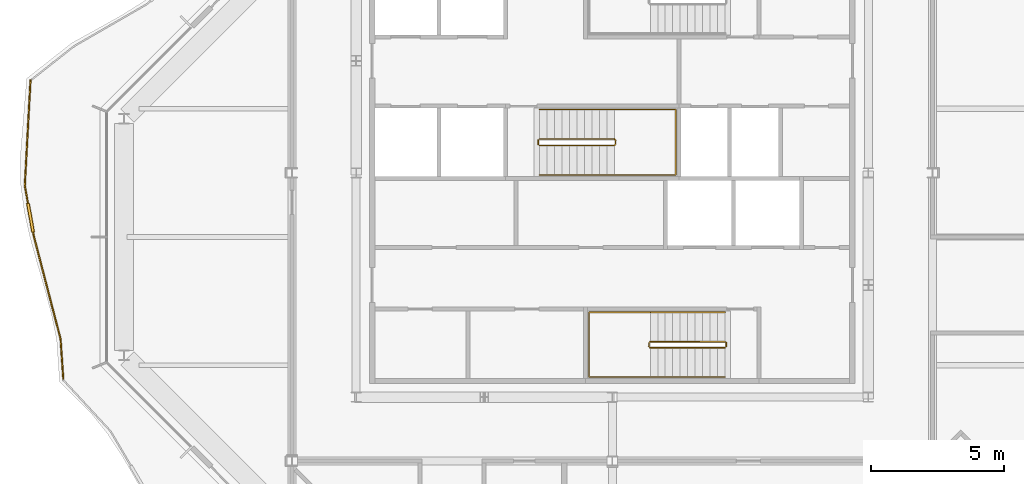
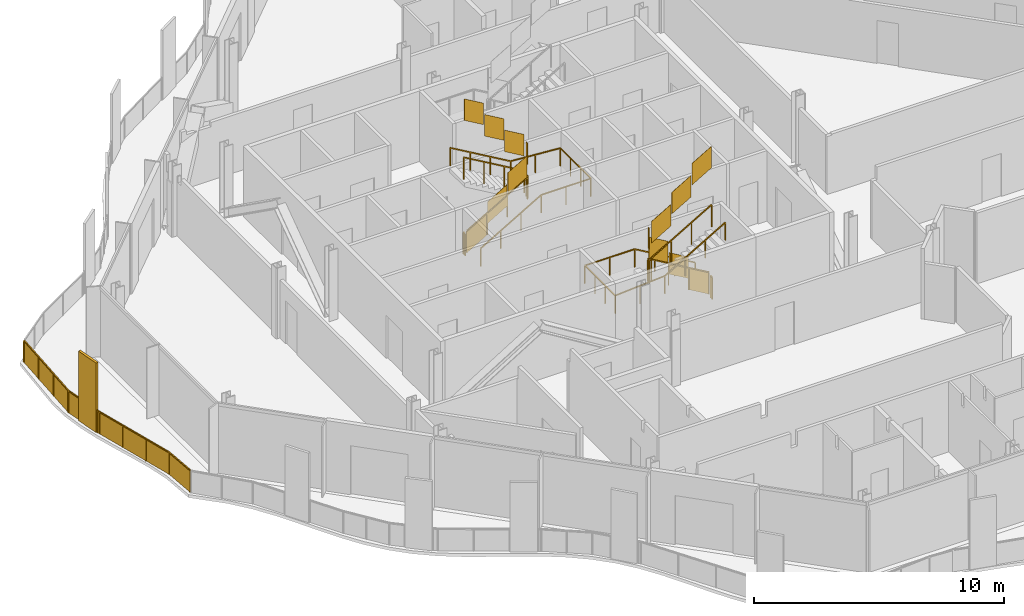
# One storey, part 14 of 17: 7 railings.
"""IFC4 building model written with IfcOpenShell, lengths in metres."""

import ifcopenshell
import ifcopenshell.guid

model = None  # the IFC model being written
_history = None  # IfcOwnerHistory: only IFC2X3 demands one
_inside = {}  # id of a spatial element -> (the spatial element, [elements in it])
_under = {}  # id of a project, library or spatial element -> (it, [spatial elements below it])
_declared = {}  # id of a project -> (the project, [libraries it declares])
_typed = {}  # id of a type object -> (the type object, [elements of that type])
_made_of = {}  # id of a material, layer set ... -> (it, [elements and type objects made of it])


def new_model(schema):
    """Start an empty IFC model of exactly this schema.

    Asked for "IFC4X3", IfcOpenShell would pick the latest addendum, in which some entities
    have other attributes; the version numbers below select the first issue.
    IFC2X3 requires an IfcOwnerHistory on every rooted entity: one is made here for all.
    """
    global model, _history
    if schema == "IFC4X3":
        model = ifcopenshell.file(schema_version=(4, 3, 0, 0))
    else:
        model = ifcopenshell.file(schema=schema)
    _inside.clear()
    _under.clear()
    _declared.clear()
    _typed.clear()
    _made_of.clear()
    _history = None
    if model.schema == "IFC2X3":
        org = make("IfcOrganization", Name="unknown")
        user = make(
            "IfcPersonAndOrganization",
            ThePerson=make("IfcPerson", FamilyName="unknown"),
            TheOrganization=org,
        )
        app = make(
            "IfcApplication",
            ApplicationDeveloper=org,
            Version="unknown",
            ApplicationFullName="unknown",
            ApplicationIdentifier="unknown",
        )
        _history = make(
            "IfcOwnerHistory",
            OwningUser=user,
            OwningApplication=app,
            ChangeAction="ADDED",
            CreationDate=0,
        )
    return model


def make(cls, **values):
    """One entity of the class cls with the attributes given. An attribute that is None is left unset."""
    return model.create_entity(
        cls, **{name: value for name, value in values.items() if value is not None}
    )


def rooted(cls, **values):
    """An entity with a GlobalId (a new one), such as an element, a storey or a relation."""
    return make(cls, GlobalId=ifcopenshell.guid.new(), OwnerHistory=_history, **values)


def si_unit(unit_type, name, prefix=None):
    """IfcSIUnit, for example si_unit("LENGTHUNIT", "METRE", prefix="MILLI")."""
    return make("IfcSIUnit", UnitType=unit_type, Prefix=prefix, Name=name)


def assignment(units):
    """IfcUnitAssignment: the units of a project."""
    return None if units is None else make("IfcUnitAssignment", Units=units)


def point(xyz):
    """IfcCartesianPoint."""
    return None if xyz is None else make("IfcCartesianPoint", Coordinates=xyz)


def direction(xyz):
    """IfcDirection."""
    return None if xyz is None else make("IfcDirection", DirectionRatios=xyz)


def frame(location, z_axis=None, x_axis=None):
    """IfcAxis2Placement3D, a coordinate frame: its origin and axes. An axis left out is left unset."""
    return make(
        "IfcAxis2Placement3D",
        Location=point(location),
        Axis=direction(z_axis),
        RefDirection=direction(x_axis),
    )


def frame_2d(location, x_axis=None):
    """IfcAxis2Placement2D, a coordinate frame in the plane: its origin and x axis."""
    return make(
        "IfcAxis2Placement2D", Location=point(location), RefDirection=direction(x_axis)
    )


def origin():
    """The frame at (0, 0, 0) with its axes left unset."""
    return frame((0.0, 0.0, 0.0))


def origin_2d():
    """The frame at (0, 0) in the plane with its x axis left unset."""
    return frame_2d((0.0, 0.0))


def place(relative_to, where):
    """IfcLocalPlacement: puts the frame where relative to a parent placement (None: the world)."""
    return make(
        "IfcLocalPlacement", PlacementRelTo=relative_to, RelativePlacement=where
    )


def context(
    kind, dimensions, precision=None, world=None, true_north=None, identifier=None
):
    """IfcGeometricRepresentationContext, for example the 3D "Model" context."""
    return make(
        "IfcGeometricRepresentationContext",
        ContextIdentifier=identifier,
        ContextType=kind,
        CoordinateSpaceDimension=dimensions,
        Precision=precision,
        WorldCoordinateSystem=world,
        TrueNorth=true_north,
    )


def subcontext(parent, identifier, kind, view, scale=None):
    """IfcGeometricRepresentationSubContext, for example "Body" below "Model"."""
    return make(
        "IfcGeometricRepresentationSubContext",
        ContextIdentifier=identifier,
        ContextType=kind,
        ParentContext=parent,
        TargetScale=scale,
        TargetView=view,
    )


def project(units=None, contexts=None):
    """IfcProject with its units and contexts."""
    return rooted(
        "IfcProject",
        Name="project",
        RepresentationContexts=contexts,
        UnitsInContext=assignment(units),
    )


def spatial(cls, under=None, at=None, **own):
    """A site, building, storey or space (cls), placed at a placement, below another one or the project."""
    s = rooted(cls, ObjectPlacement=at, **own)
    if under is not None:
        _under.setdefault(under.id(), (under, []))[1].append(s)
    return s


def polyline(points):
    """IfcPolyline through the points."""
    return make("IfcPolyline", Points=[point(p) for p in points])


def profile(cls, at=None, kind="AREA", **sizes):
    """A parametric profile (cls). Its sizes go by their IFC names, for example OverallWidth=200.0."""
    return make(cls, ProfileType=kind, Position=at, **sizes)


def rectangle(**sizes):
    """IfcRectangleProfileDef."""
    return profile("IfcRectangleProfileDef", **sizes)


def outline(outer, holes=None, kind="AREA"):
    """IfcArbitraryClosedProfileDef: a profile drawn as a closed curve; with holes, ...WithVoids."""
    if holes is None:
        return make("IfcArbitraryClosedProfileDef", ProfileType=kind, OuterCurve=outer)
    return make(
        "IfcArbitraryProfileDefWithVoids",
        ProfileType=kind,
        OuterCurve=outer,
        InnerCurves=holes,
    )


def extrude(swept, where, along, depth):
    """IfcExtrudedAreaSolid: the profile swept, set in the frame where, extruded along a direction by depth."""
    return make(
        "IfcExtrudedAreaSolid",
        SweptArea=swept,
        Position=where,
        ExtrudedDirection=direction(along),
        Depth=depth,
    )


def shape(context_of_items, identifier, shape_type, items):
    """IfcShapeRepresentation: the items that make up one representation, for example the "Body"."""
    return make(
        "IfcShapeRepresentation",
        ContextOfItems=context_of_items,
        RepresentationIdentifier=identifier,
        RepresentationType=shape_type,
        Items=items,
    )


def material(Name=None, Category=None):
    """IfcMaterial."""
    return make("IfcMaterial", Name=Name, Category=Category)


def made_of(thing, what):
    """Note that an element or type object is made of a material, layer set ...; save() writes the relation."""
    if what is not None:
        _made_of.setdefault(what.id(), (what, []))[1].append(thing)
    return thing


def type_object(cls, material=None, **own):
    """A type object (cls), such as IfcWallType, which elements share."""
    return made_of(rooted(cls, **own), material)


def element(
    cls,
    number,
    at=None,
    inside=None,
    cuts=None,
    type_object=None,
    material=None,
    context=None,
    identifier="Body",
    shape_type=None,
    held_by="IfcProductDefinitionShape",
    body=None,
    shapes=None,
    **own,
):
    """One element of the class cls, such as IfcWall. Its Tag is "e" and its number.

    at: its placement. inside: the storey or other place that contains it. cuts: it is an
    opening in that element (IfcRelVoidsElement). A single representation is given by context,
    identifier, shape_type and body (its items); several are given by shapes. held_by: the class
    of the entity that holds the representations. save() writes the other relations.
    """
    e = rooted(cls, Tag="e%d" % number, ObjectPlacement=at, **own)
    if body is not None:
        shapes = [shape(context, identifier, shape_type, body)]
    if shapes is not None:
        e.Representation = make(held_by, Representations=shapes)
    if inside is not None:
        _inside.setdefault(inside.id(), (inside, []))[1].append(e)
    if cuts is not None:
        rooted(
            "IfcRelVoidsElement", RelatingBuildingElement=cuts, RelatedOpeningElement=e
        )
    if type_object is not None:
        _typed.setdefault(type_object.id(), (type_object, []))[1].append(e)
    return made_of(e, material)


def aggregate(whole, parts):
    """IfcRelAggregates: a whole, such as a stair, and the parts it consists of."""
    return rooted("IfcRelAggregates", RelatingObject=whole, RelatedObjects=parts)


def save(model, path):
    """Write the relations noted so far, then the file.

    IfcRelAggregates (storeys below a building ...), IfcRelContainedInSpatialStructure (elements
    in a storey), IfcRelDefinesByType, IfcRelAssociatesMaterial and IfcRelDeclares: one each for
    every whole, place, type object, material and project.
    """
    for whole, parts in _under.values():
        aggregate(whole, parts)
    for where, things in _inside.values():
        rooted(
            "IfcRelContainedInSpatialStructure",
            RelatedElements=things,
            RelatingStructure=where,
        )
    for kind, things in _typed.values():
        rooted("IfcRelDefinesByType", RelatedObjects=things, RelatingType=kind)
    for what, things in _made_of.values():
        rooted("IfcRelAssociatesMaterial", RelatedObjects=things, RelatingMaterial=what)
    for by, libraries in _declared.values():
        rooted("IfcRelDeclares", RelatingContext=by, RelatedDefinitions=libraries)
    model.write(path)


model = new_model("IFC4")

# Units and contexts
model_context = context("Model", 3, precision=1e-05, world=origin(), true_north=direction((0.0, 1.0)))
body_context = subcontext(model_context, "Body", "Model", "MODEL_VIEW")
ifc_project = project(units=[si_unit("LENGTHUNIT", "METRE"), si_unit("AREAUNIT", "SQUARE_METRE"), si_unit("VOLUMEUNIT", "CUBIC_METRE"), si_unit("PLANEANGLEUNIT", "RADIAN"), si_unit("MASSUNIT", "GRAM", prefix="KILO")], contexts=[model_context])

# Site, building, storey
site_placement = place(None, origin())
site = spatial("IfcSite", under=ifc_project, at=site_placement, CompositionType="ELEMENT")
building_placement = place(site_placement, origin())
building = spatial("IfcBuilding", under=site, at=building_placement, Name="Cairn Pilgrim Tower", CompositionType="ELEMENT")
storey_placement = place(building_placement, frame((0.0, 0.0, 270.60009765625)))
storey = spatial("IfcBuildingStorey", under=building, at=storey_placement, Name="L69", CompositionType="ELEMENT", Elevation=270.60009765625)

# Railings
ifc_material_1 = material(Name="Bronze anodised aluminium rail, posts and fin screens with laminated glass infill", Category="aluminium")
railing_type_1 = type_object("IfcRailingType", Name="BALCONY GUARD WITH FIN SCREENS", PredefinedType="GUARDRAIL", material=ifc_material_1)
railing_1_placement = place(storey_placement, frame((-14.60400390625, 5.86328125, 0.0)))
element("IfcRailing", 1, at=railing_1_placement, inside=storey, type_object=railing_type_1, Name="Balcony guard BGF-6 with fin screens", PredefinedType="GUARDRAIL", context=body_context, shape_type="SweptSolid", body=[
    extrude(rectangle(XDim=0.050048828125, YDim=0.050048828125, at=origin_2d()), frame((0.0, 0.0, 1.0751953125), z_axis=(-0.054282514636, -0.9985256174, 0.0), x_axis=(0.9985256174, -0.054282514636, 0.0)), (0.0, 0.0, 1.0), 3.93994140625),
    extrude(rectangle(XDim=1.10009765625, YDim=0.110107421875, at=origin_2d()), frame((0.0009765625, -5.14208984375, 0.0), z_axis=(0.0, 0.0, 1.0), x_axis=(0.175093376845, -0.984551831741, 0.0)), (0.0, 0.0, 1.0), 3.39990234375),
    extrude(rectangle(XDim=0.050048828125, YDim=0.050048828125, at=origin_2d()), frame((-0.2138671875, -3.93408203125, 1.0751953125), z_axis=(0.175093376845, -0.984551831741, 0.0), x_axis=(0.984551831741, 0.175093376845, 0.0)), (0.0, 0.0, 1.0), 0.677001953125),
    extrude(rectangle(XDim=0.050048828125, YDim=0.050048828125, at=origin_2d()), frame((0.09716796875, -5.68359375, 1.0751953125), z_axis=(0.175093376845, -0.984551831741, 0.0), x_axis=(0.984551831741, 0.175093376845, 0.0)), (0.0, 0.0, 1.0), 0.150146484375),
    extrude(rectangle(XDim=0.050048828125, YDim=0.050048828125, at=origin_2d()), frame((0.12353515625, -5.831298828125, 1.0751953125), z_axis=(0.252116939062, -0.967696775358, 0.0), x_axis=(0.967696775358, 0.252116939062, 0.0)), (0.0, 0.0, 1.0), 3.97607421875),
    extrude(rectangle(XDim=0.050048828125, YDim=0.050048828125, at=origin_2d()), frame((1.1259765625, -9.678955078125, 1.0751953125), z_axis=(0.068992861162, -0.997617153576, 0.0), x_axis=(0.997617153576, 0.068992861162, 0.0)), (0.0, 0.0, 1.0), 1.493408203125),
    extrude(rectangle(XDim=0.050048828125, YDim=0.050048828125, at=origin_2d()), origin(), (0.0, 0.0, 1.0), 1.050048828125),
    extrude(rectangle(XDim=0.050048828125, YDim=0.050048828125, at=origin_2d()), frame((-0.0712890625, -1.311279296875, 0.0)), (0.0, 0.0, 1.0), 1.050048828125),
    extrude(rectangle(XDim=0.050048828125, YDim=0.050048828125, at=origin_2d()), frame((-0.142578125, -2.622802734375, 0.0)), (0.0, 0.0, 1.0), 1.050048828125),
    extrude(rectangle(XDim=0.050048828125, YDim=0.050048828125, at=origin_2d()), frame((-0.2138671875, -3.93408203125, 0.0)), (0.0, 0.0, 1.0), 1.050048828125),
    extrude(rectangle(XDim=0.050048828125, YDim=0.050048828125, at=origin_2d()), frame((-0.099609375, -4.575927734375, 0.0)), (0.0, 0.0, 1.0), 1.050048828125),
    extrude(rectangle(XDim=0.050048828125, YDim=0.050048828125, at=origin_2d()), frame((0.1015625, -5.708251953125, 0.0)), (0.0, 0.0, 1.0), 1.050048828125),
    extrude(rectangle(XDim=0.050048828125, YDim=0.050048828125, at=origin_2d()), frame((0.12353515625, -5.831298828125, 0.0)), (0.0, 0.0, 1.0), 1.050048828125),
    extrude(rectangle(XDim=0.050048828125, YDim=0.050048828125, at=origin_2d()), frame((0.457763671875, -7.11376953125, 0.0)), (0.0, 0.0, 1.0), 1.050048828125),
    extrude(rectangle(XDim=0.050048828125, YDim=0.050048828125, at=origin_2d()), frame((0.791748046875, -8.396484375, 0.0)), (0.0, 0.0, 1.0), 1.050048828125),
    extrude(rectangle(XDim=0.050048828125, YDim=0.050048828125, at=origin_2d()), frame((1.1259765625, -9.678955078125, 0.0)), (0.0, 0.0, 1.0), 1.050048828125),
    extrude(rectangle(XDim=0.050048828125, YDim=0.050048828125, at=origin_2d()), frame((1.22900390625, -11.168701171875, 0.0)), (0.0, 0.0, 1.0), 1.050048828125),
    extrude(outline(polyline([(0.02490234375, 0.0), (1.288330078125, 0.0), (1.288330078125, 1.050048828125), (0.02490234375, 1.050048828125), (0.02490234375, 0.0)])), frame((0.005859375, -0.000244140625, 0.0), z_axis=(-0.9985256174, 0.054282514636, 0.0), x_axis=(-0.054282514636, -0.9985256174, 0.0)), (0.0, 0.0, 1.0), 0.011962890625),
    extrude(outline(polyline([(0.02490234375, 0.0), (1.288330078125, 0.0), (1.288330078125, 1.050048828125), (0.02490234375, 1.050048828125), (0.02490234375, 0.0)])), frame((-0.0654296875, -1.311767578125, 0.0), z_axis=(-0.9985256174, 0.054282514636, 0.0), x_axis=(-0.054282514636, -0.9985256174, 0.0)), (0.0, 0.0, 1.0), 0.011962890625),
    extrude(outline(polyline([(0.02490234375, 0.0), (1.288330078125, 0.0), (1.288330078125, 1.050048828125), (0.02490234375, 1.050048828125), (0.02490234375, 0.0)])), frame((-0.13671875, -2.623046875, 0.0), z_axis=(-0.9985256174, 0.054282514636, 0.0), x_axis=(-0.054282514636, -0.9985256174, 0.0)), (0.0, 0.0, 1.0), 0.011962890625),
    extrude(outline(polyline([(0.02490234375, 0.0), (0.626953125, 0.0), (0.626953125, 1.050048828125), (0.02490234375, 1.050048828125), (0.02490234375, 0.0)])), frame((-0.2080078125, -3.93310546875, 0.0), z_axis=(-0.984551831741, -0.175093376845, 0.0), x_axis=(0.175093376845, -0.984551831741, 0.0)), (0.0, 0.0, 1.0), 0.011962890625),
    extrude(outline(polyline([(0.02490234375, 0.0), (0.10009765625, 0.0), (0.10009765625, 1.050048828125), (0.02490234375, 1.050048828125), (0.02490234375, 0.0)])), frame((0.107421875, -5.70703125, 0.0), z_axis=(-0.984551831741, -0.175093376845, 0.0), x_axis=(0.175093376845, -0.984551831741, 0.0)), (0.0, 0.0, 1.0), 0.011962890625),
    extrude(outline(polyline([(0.02490234375, 0.0), (1.30029296875, 0.0), (1.30029296875, 1.050048828125), (0.02490234375, 1.050048828125), (0.02490234375, 0.0)])), frame((0.12939453125, -5.829833984375, 0.0), z_axis=(-0.967696775358, -0.252116939062, 0.0), x_axis=(0.252116939062, -0.967696775358, 0.0)), (0.0, 0.0, 1.0), 0.011962890625),
    extrude(outline(polyline([(0.02490234375, 0.0), (1.30029296875, 0.0), (1.30029296875, 1.050048828125), (0.02490234375, 1.050048828125), (0.02490234375, 0.0)])), frame((0.46337890625, -7.1123046875, 0.0), z_axis=(-0.967696775358, -0.252116939062, 0.0), x_axis=(0.252116939062, -0.967696775358, 0.0)), (0.0, 0.0, 1.0), 0.011962890625),
    extrude(outline(polyline([(0.02490234375, 0.0), (1.30029296875, 0.0), (1.30029296875, 1.050048828125), (0.02490234375, 1.050048828125), (0.02490234375, 0.0)])), frame((0.797607421875, -8.394775390625, 0.0), z_axis=(-0.967696775358, -0.252116939062, 0.0), x_axis=(0.252116939062, -0.967696775358, 0.0)), (0.0, 0.0, 1.0), 0.011962890625),
    extrude(outline(polyline([(0.02490234375, 0.0), (1.46826171875, 0.0), (1.46826171875, 1.050048828125), (0.02490234375, 1.050048828125), (0.02490234375, 0.0)])), frame((1.1318359375, -9.678466796875, 0.0), z_axis=(-0.997617153576, -0.068992861162, 0.0), x_axis=(0.068992861162, -0.997617153576, 0.0)), (0.0, 0.0, 1.0), 0.011962890625),
])
ifc_material_2 = material(Name="Painted steel", Category="steel")
railing_type_2 = type_object("IfcRailingType", Name="STAIR GUARD 1100", PredefinedType="GUARDRAIL", material=ifc_material_2)
railing_2_placement = place(storey_placement, frame((11.425048828125, -3.925048828125, 0.16357421875)))
element("IfcRailing", 2, at=railing_2_placement, inside=storey, type_object=railing_type_2, Name="L69 ST-A stair guard 1", PredefinedType="GUARDRAIL", context=body_context, shape_type="SweptSolid", body=[
    extrude(rectangle(XDim=0.048095703125, YDim=0.048095703125, at=origin_2d()), frame((0.0, 0.0, 1.076171875), z_axis=(-0.863393664356, 0.0, 0.504530851732), x_axis=(0.0, -1.0, 0.0)), (0.0, 0.0, 1.0), 3.2431640625),
    extrude(rectangle(XDim=0.048095703125, YDim=0.048095703125, at=origin_2d()), frame((-2.800048828125, 0.0, 2.71240234375), z_axis=(-0.707106781187, -0.707106781187, 0.0), x_axis=(0.707106781187, -0.707106781187, 0.0)), (0.0, 0.0, 1.0), 0.07080078125),
    extrude(rectangle(XDim=0.048095703125, YDim=0.048095703125, at=origin_2d()), frame((-2.85009765625, -0.050048828125, 2.71240234375), z_axis=(0.0, -1.0, 0.0), x_axis=(1.0, 0.0, 0.0)), (0.0, 0.0, 1.0), 0.125),
    extrude(rectangle(XDim=0.048095703125, YDim=0.048095703125, at=origin_2d()), frame((-2.85009765625, -0.175048828125, 2.71240234375), z_axis=(0.280563532951, -0.279194930351, 0.91833234444), x_axis=(0.705375805398, 0.708833529934, 0.0)), (0.0, 0.0, 1.0), 0.178466796875),
    extrude(rectangle(XDim=0.048095703125, YDim=0.048095703125, at=origin_2d()), frame((-2.800048828125, -0.224853515625, 2.8759765625), z_axis=(0.863393664356, 0.0, 0.504530851732), x_axis=(0.0, 1.0, 0.0)), (0.0, 0.0, 1.0), 3.2431640625),
    extrude(rectangle(XDim=0.0419921875, YDim=0.0419921875, at=origin_2d()), origin(), (0.0, 0.0, 1.0), 1.052001953125),
    extrude(rectangle(XDim=0.0419921875, YDim=0.0419921875, at=origin_2d()), frame((-0.933349609375, 0.0, 0.54541015625)), (0.0, 0.0, 1.0), 1.052001953125),
    extrude(rectangle(XDim=0.0419921875, YDim=0.0419921875, at=origin_2d()), frame((-1.86669921875, 0.0, 1.0908203125)), (0.0, 0.0, 1.0), 1.052001953125),
    extrude(rectangle(XDim=0.0419921875, YDim=0.0419921875, at=origin_2d()), frame((-2.800048828125, 0.0, 1.63623046875)), (0.0, 0.0, 1.0), 1.052001953125),
    extrude(rectangle(XDim=0.0419921875, YDim=0.0419921875, at=origin_2d()), frame((-2.85009765625, -0.050048828125, 1.63623046875)), (0.0, 0.0, 1.0), 1.052001953125),
    extrude(rectangle(XDim=0.0419921875, YDim=0.0419921875, at=origin_2d()), frame((-2.85009765625, -0.175048828125, 1.63623046875)), (0.0, 0.0, 1.0), 1.052001953125),
    extrude(rectangle(XDim=0.0419921875, YDim=0.0419921875, at=origin_2d()), frame((-2.800048828125, -0.224853515625, 1.800048828125)), (0.0, 0.0, 1.0), 1.052001953125),
    extrude(rectangle(XDim=0.0419921875, YDim=0.0419921875, at=origin_2d()), frame((-1.86669921875, -0.224853515625, 2.345458984375)), (0.0, 0.0, 1.0), 1.052001953125),
    extrude(rectangle(XDim=0.0419921875, YDim=0.0419921875, at=origin_2d()), frame((-0.933349609375, -0.224853515625, 2.890869140625)), (0.0, 0.0, 1.0), 1.052001953125),
    extrude(rectangle(XDim=0.0419921875, YDim=0.0419921875, at=origin_2d()), frame((0.0, -0.224853515625, 3.436279296875)), (0.0, 0.0, 1.0), 1.052001953125),
    extrude(outline(polyline([(0.02099609375, 0.01220703125), (0.912353515625, 0.533203125), (0.912353515625, 1.585205078125), (0.02099609375, 1.064208984375), (0.02099609375, 0.01220703125)])), frame((0.0, -0.005859375, 0.0), z_axis=(0.0, 1.0, 0.0), x_axis=(-1.0, 0.0, 0.0)), (0.0, 0.0, 1.0), 0.011962890625),
    extrude(outline(polyline([(0.02099609375, 0.5576171875), (0.912353515625, 1.07861328125), (0.912353515625, 2.130615234375), (0.02099609375, 1.609619140625), (0.02099609375, 0.5576171875)])), frame((-0.933349609375, -0.005859375, 0.54541015625), z_axis=(0.0, 1.0, 0.0), x_axis=(-1.0, 0.0, 0.0)), (0.0, 0.0, 1.0), 0.011962890625),
    extrude(outline(polyline([(0.02099609375, 1.10302734375), (0.912353515625, 1.6240234375), (0.912353515625, 2.676025390625), (0.02099609375, 2.155029296875), (0.02099609375, 1.10302734375)])), frame((-1.86669921875, -0.005859375, 1.0908203125), z_axis=(0.0, 1.0, 0.0), x_axis=(-1.0, 0.0, 0.0)), (0.0, 0.0, 1.0), 0.011962890625),
    extrude(outline(polyline([(0.02099609375, 1.63623046875), (0.10400390625, 1.63623046875), (0.10400390625, 2.688232421875), (0.02099609375, 2.688232421875), (0.02099609375, 1.63623046875)])), frame((-2.84423828125, -0.050048828125, 1.63623046875), z_axis=(-1.0, 0.0, 0.0), x_axis=(0.0, -1.0, 0.0)), (0.0, 0.0, 1.0), 0.011962890625),
    extrude(outline(polyline([(0.02099609375, 1.812255859375), (0.912353515625, 2.333251953125), (0.912353515625, 3.38525390625), (0.02099609375, 2.8642578125), (0.02099609375, 1.812255859375)])), frame((-2.800048828125, -0.21875, 1.800048828125), z_axis=(0.0, -1.0, 0.0), x_axis=(1.0, 0.0, 0.0)), (0.0, 0.0, 1.0), 0.011962890625),
    extrude(outline(polyline([(0.02099609375, 2.357666015625), (0.912353515625, 2.878662109375), (0.912353515625, 3.9306640625), (0.02099609375, 3.40966796875), (0.02099609375, 2.357666015625)])), frame((-1.86669921875, -0.21875, 2.345458984375), z_axis=(0.0, -1.0, 0.0), x_axis=(1.0, 0.0, 0.0)), (0.0, 0.0, 1.0), 0.011962890625),
    extrude(outline(polyline([(0.02099609375, 2.903076171875), (0.912353515625, 3.424072265625), (0.912353515625, 4.47607421875), (0.02099609375, 3.955078125), (0.02099609375, 2.903076171875)])), frame((-0.933349609375, -0.21875, 2.890869140625), z_axis=(0.0, -1.0, 0.0), x_axis=(1.0, 0.0, 0.0)), (0.0, 0.0, 1.0), 0.011962890625),
])
railing_3_placement = place(storey_placement, frame((11.47509765625, -3.97509765625, 0.0)))
element("IfcRailing", 3, at=railing_3_placement, inside=storey, type_object=railing_type_2, Name="L69 ST-A stair guard 2", PredefinedType="GUARDRAIL", context=body_context, shape_type="SweptSolid", body=[
    extrude(rectangle(XDim=0.048095703125, YDim=0.048095703125, at=origin_2d()), frame((0.0, 0.0, 1.076171875), z_axis=(0.0, -1.0, 0.0), x_axis=(1.0, 0.0, 0.0)), (0.0, 0.0, 1.0), 0.125),
    extrude(rectangle(XDim=0.0419921875, YDim=0.0419921875, at=origin_2d()), origin(), (0.0, 0.0, 1.0), 1.052001953125),
    extrude(rectangle(XDim=0.0419921875, YDim=0.0419921875, at=origin_2d()), frame((0.0, -0.125, 0.0)), (0.0, 0.0, 1.0), 1.052001953125),
    extrude(outline(polyline([(0.02099609375, 0.0), (0.10400390625, 0.0), (0.10400390625, 1.052001953125), (0.02099609375, 1.052001953125), (0.02099609375, 0.0)])), frame((0.005859375, 0.0, 0.0), z_axis=(-1.0, 0.0, 0.0), x_axis=(0.0, -1.0, 0.0)), (0.0, 0.0, 1.0), 0.011962890625),
])
railing_4_placement = place(storey_placement, frame((4.47509765625, 3.425048828125, 0.16357421875)))
element("IfcRailing", 4, at=railing_4_placement, inside=storey, type_object=railing_type_2, Name="L69 ST-B stair guard 1", PredefinedType="GUARDRAIL", context=body_context, shape_type="SweptSolid", body=[
    extrude(rectangle(XDim=0.048095703125, YDim=0.048095703125, at=origin_2d()), frame((0.0, 0.0, 1.076171875), z_axis=(0.863374499697, 0.0, 0.504563646405), x_axis=(0.0, 1.0, 0.0)), (0.0, 0.0, 1.0), 3.242919921875),
    extrude(rectangle(XDim=0.048095703125, YDim=0.048095703125, at=origin_2d()), frame((2.7998046875, 0.0, 2.71240234375), z_axis=(0.707106781187, 0.707106781187, 0.0), x_axis=(-0.707106781187, 0.707106781187, 0.0)), (0.0, 0.0, 1.0), 0.07080078125),
    extrude(rectangle(XDim=0.048095703125, YDim=0.048095703125, at=origin_2d()), frame((2.849853515625, 0.050048828125, 2.71240234375), z_axis=(0.0, 1.0, 0.0), x_axis=(-1.0, 0.0, 0.0)), (0.0, 0.0, 1.0), 0.14990234375),
    extrude(rectangle(XDim=0.048095703125, YDim=0.048095703125, at=origin_2d()), frame((2.849853515625, 0.199951171875, 2.71240234375), z_axis=(-0.280456126637, 0.280456126637, 0.917980785237), x_axis=(-0.707106781187, -0.707106781187, 0.0)), (0.0, 0.0, 1.0), 0.178466796875),
    extrude(rectangle(XDim=0.048095703125, YDim=0.048095703125, at=origin_2d()), frame((2.7998046875, 0.25, 2.8759765625), z_axis=(-0.863374499697, 0.0, 0.504563646405), x_axis=(0.0, -1.0, 0.0)), (0.0, 0.0, 1.0), 3.242919921875),
    extrude(rectangle(XDim=0.0419921875, YDim=0.0419921875, at=origin_2d()), origin(), (0.0, 0.0, 1.0), 1.052001953125),
    extrude(rectangle(XDim=0.0419921875, YDim=0.0419921875, at=origin_2d()), frame((0.933349609375, 0.0, 0.54541015625)), (0.0, 0.0, 1.0), 1.052001953125),
    extrude(rectangle(XDim=0.0419921875, YDim=0.0419921875, at=origin_2d()), frame((1.866455078125, 0.0, 1.0908203125)), (0.0, 0.0, 1.0), 1.052001953125),
    extrude(rectangle(XDim=0.0419921875, YDim=0.0419921875, at=origin_2d()), frame((2.7998046875, 0.0, 1.63623046875)), (0.0, 0.0, 1.0), 1.052001953125),
    extrude(rectangle(XDim=0.0419921875, YDim=0.0419921875, at=origin_2d()), frame((2.849853515625, 0.050048828125, 1.63623046875)), (0.0, 0.0, 1.0), 1.052001953125),
    extrude(rectangle(XDim=0.0419921875, YDim=0.0419921875, at=origin_2d()), frame((2.849853515625, 0.199951171875, 1.63623046875)), (0.0, 0.0, 1.0), 1.052001953125),
    extrude(rectangle(XDim=0.0419921875, YDim=0.0419921875, at=origin_2d()), frame((2.7998046875, 0.25, 1.800048828125)), (0.0, 0.0, 1.0), 1.052001953125),
    extrude(rectangle(XDim=0.0419921875, YDim=0.0419921875, at=origin_2d()), frame((1.866455078125, 0.25, 2.345458984375)), (0.0, 0.0, 1.0), 1.052001953125),
    extrude(rectangle(XDim=0.0419921875, YDim=0.0419921875, at=origin_2d()), frame((0.933349609375, 0.25, 2.890869140625)), (0.0, 0.0, 1.0), 1.052001953125),
    extrude(rectangle(XDim=0.0419921875, YDim=0.0419921875, at=origin_2d()), frame((0.0, 0.25, 3.436279296875)), (0.0, 0.0, 1.0), 1.052001953125),
    extrude(outline(polyline([(0.02099609375, 0.01220703125), (0.912353515625, 0.533203125), (0.912353515625, 1.585205078125), (0.02099609375, 1.064208984375), (0.02099609375, 0.01220703125)])), frame((0.0, 0.005859375, 0.0), z_axis=(0.0, -1.0, 0.0), x_axis=(1.0, 0.0, 0.0)), (0.0, 0.0, 1.0), 0.011962890625),
    extrude(outline(polyline([(0.02099609375, 0.5576171875), (0.912353515625, 1.07861328125), (0.912353515625, 2.130615234375), (0.02099609375, 1.609619140625), (0.02099609375, 0.5576171875)])), frame((0.933349609375, 0.005859375, 0.54541015625), z_axis=(0.0, -1.0, 0.0), x_axis=(1.0, 0.0, 0.0)), (0.0, 0.0, 1.0), 0.011962890625),
    extrude(outline(polyline([(0.02099609375, 1.10302734375), (0.912353515625, 1.6240234375), (0.912353515625, 2.676025390625), (0.02099609375, 2.155029296875), (0.02099609375, 1.10302734375)])), frame((1.866455078125, 0.005859375, 1.0908203125), z_axis=(0.0, -1.0, 0.0), x_axis=(1.0, 0.0, 0.0)), (0.0, 0.0, 1.0), 0.011962890625),
    extrude(outline(polyline([(0.02099609375, 1.63623046875), (0.12890625, 1.63623046875), (0.12890625, 2.688232421875), (0.02099609375, 2.688232421875), (0.02099609375, 1.63623046875)])), frame((2.84375, 0.050048828125, 1.63623046875), z_axis=(1.0, 0.0, 0.0), x_axis=(0.0, 1.0, 0.0)), (0.0, 0.0, 1.0), 0.011962890625),
    extrude(outline(polyline([(0.02099609375, 1.812255859375), (0.912353515625, 2.333251953125), (0.912353515625, 3.38525390625), (0.02099609375, 2.8642578125), (0.02099609375, 1.812255859375)])), frame((2.7998046875, 0.244140625, 1.800048828125), z_axis=(0.0, 1.0, 0.0), x_axis=(-1.0, 0.0, 0.0)), (0.0, 0.0, 1.0), 0.011962890625),
    extrude(outline(polyline([(0.02099609375, 2.357666015625), (0.912353515625, 2.878662109375), (0.912353515625, 3.9306640625), (0.02099609375, 3.40966796875), (0.02099609375, 2.357666015625)])), frame((1.866455078125, 0.244140625, 2.345458984375), z_axis=(0.0, 1.0, 0.0), x_axis=(-1.0, 0.0, 0.0)), (0.0, 0.0, 1.0), 0.011962890625),
    extrude(outline(polyline([(0.02099609375, 2.903076171875), (0.912353515625, 3.424072265625), (0.912353515625, 4.47607421875), (0.02099609375, 3.955078125), (0.02099609375, 2.903076171875)])), frame((0.933349609375, 0.244140625, 2.890869140625), z_axis=(0.0, 1.0, 0.0), x_axis=(-1.0, 0.0, 0.0)), (0.0, 0.0, 1.0), 0.011962890625),
])
railing_5_placement = place(storey_placement, frame((4.425048828125, 3.47509765625, 0.0)))
element("IfcRailing", 5, at=railing_5_placement, inside=storey, type_object=railing_type_2, Name="L69 ST-B stair guard 2", PredefinedType="GUARDRAIL", context=body_context, shape_type="SweptSolid", body=[
    extrude(rectangle(XDim=0.048095703125, YDim=0.048095703125, at=origin_2d()), frame((0.0, 0.0, 1.076171875), z_axis=(0.0, 1.0, 0.0), x_axis=(-1.0, 0.0, 0.0)), (0.0, 0.0, 1.0), 0.14990234375),
    extrude(rectangle(XDim=0.0419921875, YDim=0.0419921875, at=origin_2d()), origin(), (0.0, 0.0, 1.0), 1.052001953125),
    extrude(rectangle(XDim=0.0419921875, YDim=0.0419921875, at=origin_2d()), frame((0.0, 0.14990234375, 0.0)), (0.0, 0.0, 1.0), 1.052001953125),
    extrude(outline(polyline([(0.02099609375, 0.0), (0.12890625, 0.0), (0.12890625, 1.052001953125), (0.02099609375, 1.052001953125), (0.02099609375, 0.0)])), frame((-0.005859375, 0.0, 0.0), z_axis=(1.0, 0.0, 0.0), x_axis=(0.0, 1.0, 0.0)), (0.0, 0.0, 1.0), 0.011962890625),
])
railing_type_3 = type_object("IfcRailingType", Name="STAIR HANDRAIL 900", PredefinedType="HANDRAIL", material=ifc_material_2)
railing_6_placement = place(storey_placement, frame((11.425048828125, -2.824951171875, 0.16357421875)))
element("IfcRailing", 6, at=railing_6_placement, inside=storey, type_object=railing_type_3, Name="L69 ST-A stair handrail 1", PredefinedType="HANDRAIL", context=body_context, shape_type="SweptSolid", body=[
    extrude(rectangle(XDim=0.048095703125, YDim=0.048095703125, at=origin_2d()), frame((0.0, 0.0, 0.8759765625), z_axis=(-0.863393664356, 0.0, 0.504530851732), x_axis=(0.0, -1.0, 0.0)), (0.0, 0.0, 1.0), 3.2431640625),
    extrude(rectangle(XDim=0.048095703125, YDim=0.048095703125, at=origin_2d()), frame((-2.800048828125, 0.0, 2.51220703125), z_axis=(-1.0, 0.0, 0.0), x_axis=(0.0, -1.0, 0.0)), (0.0, 0.0, 1.0), 2.300048828125),
    extrude(rectangle(XDim=0.048095703125, YDim=0.048095703125, at=origin_2d()), frame((-5.10009765625, 0.0, 2.51220703125), z_axis=(0.0, -1.0, 0.0), x_axis=(1.0, 0.0, 0.0)), (0.0, 0.0, 1.0), 2.425048828125),
    extrude(rectangle(XDim=0.048095703125, YDim=0.048095703125, at=origin_2d()), frame((-5.10009765625, -2.425048828125, 2.51220703125), z_axis=(0.99747319029, 0.0, 0.071043892441), x_axis=(0.0, 1.0, 0.0)), (0.0, 0.0, 1.0), 2.305908203125),
    extrude(rectangle(XDim=0.048095703125, YDim=0.048095703125, at=origin_2d()), frame((-2.800048828125, -2.425048828125, 2.67578125), z_axis=(0.863393664356, 0.0, 0.504530851732), x_axis=(0.0, 1.0, 0.0)), (0.0, 0.0, 1.0), 3.2431640625),
    extrude(rectangle(XDim=0.0419921875, YDim=0.0419921875, at=origin_2d()), origin(), (0.0, 0.0, 1.0), 0.851806640625),
    extrude(rectangle(XDim=0.0419921875, YDim=0.0419921875, at=origin_2d()), frame((-0.933349609375, 0.0, 0.54541015625)), (0.0, 0.0, 1.0), 0.851806640625),
    extrude(rectangle(XDim=0.0419921875, YDim=0.0419921875, at=origin_2d()), frame((-1.86669921875, 0.0, 1.0908203125)), (0.0, 0.0, 1.0), 0.851806640625),
    extrude(rectangle(XDim=0.0419921875, YDim=0.0419921875, at=origin_2d()), frame((-2.800048828125, 0.0, 1.63623046875)), (0.0, 0.0, 1.0), 0.851806640625),
    extrude(rectangle(XDim=0.0419921875, YDim=0.0419921875, at=origin_2d()), frame((-3.9501953125, 0.0, 1.63623046875)), (0.0, 0.0, 1.0), 0.851806640625),
    extrude(rectangle(XDim=0.0419921875, YDim=0.0419921875, at=origin_2d()), frame((-5.10009765625, 0.0, 1.63623046875)), (0.0, 0.0, 1.0), 0.851806640625),
    extrude(rectangle(XDim=0.0419921875, YDim=0.0419921875, at=origin_2d()), frame((-5.10009765625, -0.808349609375, 1.63623046875)), (0.0, 0.0, 1.0), 0.851806640625),
    extrude(rectangle(XDim=0.0419921875, YDim=0.0419921875, at=origin_2d()), frame((-5.10009765625, -1.61669921875, 1.63623046875)), (0.0, 0.0, 1.0), 0.851806640625),
    extrude(rectangle(XDim=0.0419921875, YDim=0.0419921875, at=origin_2d()), frame((-5.10009765625, -2.425048828125, 1.63623046875)), (0.0, 0.0, 1.0), 0.851806640625),
    extrude(rectangle(XDim=0.0419921875, YDim=0.0419921875, at=origin_2d()), frame((-3.9501953125, -2.425048828125, 1.71826171875)), (0.0, 0.0, 1.0), 0.851806640625),
    extrude(rectangle(XDim=0.0419921875, YDim=0.0419921875, at=origin_2d()), frame((-2.800048828125, -2.425048828125, 1.800048828125)), (0.0, 0.0, 1.0), 0.851806640625),
    extrude(rectangle(XDim=0.0419921875, YDim=0.0419921875, at=origin_2d()), frame((-1.86669921875, -2.425048828125, 2.345458984375)), (0.0, 0.0, 1.0), 0.851806640625),
    extrude(rectangle(XDim=0.0419921875, YDim=0.0419921875, at=origin_2d()), frame((-0.933349609375, -2.425048828125, 2.890869140625)), (0.0, 0.0, 1.0), 0.851806640625),
    extrude(rectangle(XDim=0.0419921875, YDim=0.0419921875, at=origin_2d()), frame((0.0, -2.425048828125, 3.436279296875)), (0.0, 0.0, 1.0), 0.851806640625),
])
railing_7_placement = place(storey_placement, frame((4.47509765625, 2.324951171875, 0.16357421875)))
element("IfcRailing", 7, at=railing_7_placement, inside=storey, type_object=railing_type_3, Name="L69 ST-B stair handrail 1", PredefinedType="HANDRAIL", context=body_context, shape_type="SweptSolid", body=[
    extrude(rectangle(XDim=0.048095703125, YDim=0.048095703125, at=origin_2d()), frame((0.0, 0.0, 0.8759765625), z_axis=(0.863374499697, 0.0, 0.504563646405), x_axis=(0.0, 1.0, 0.0)), (0.0, 0.0, 1.0), 3.242919921875),
    extrude(rectangle(XDim=0.048095703125, YDim=0.048095703125, at=origin_2d()), frame((2.7998046875, 0.0, 2.51220703125), z_axis=(1.0, 0.0, 0.0), x_axis=(0.0, 1.0, 0.0)), (0.0, 0.0, 1.0), 2.300048828125),
    extrude(rectangle(XDim=0.048095703125, YDim=0.048095703125, at=origin_2d()), frame((5.099853515625, 0.0, 2.51220703125), z_axis=(0.0, 1.0, 0.0), x_axis=(-1.0, 0.0, 0.0)), (0.0, 0.0, 1.0), 2.449951171875),
    extrude(rectangle(XDim=0.048095703125, YDim=0.048095703125, at=origin_2d()), frame((5.099853515625, 2.449951171875, 2.51220703125), z_axis=(-0.99747319029, 0.0, 0.071043892441), x_axis=(0.0, -1.0, 0.0)), (0.0, 0.0, 1.0), 2.305908203125),
    extrude(rectangle(XDim=0.048095703125, YDim=0.048095703125, at=origin_2d()), frame((2.7998046875, 2.449951171875, 2.67578125), z_axis=(-0.863374499697, 0.0, 0.504563646405), x_axis=(0.0, -1.0, 0.0)), (0.0, 0.0, 1.0), 3.242919921875),
    extrude(rectangle(XDim=0.0419921875, YDim=0.0419921875, at=origin_2d()), origin(), (0.0, 0.0, 1.0), 0.851806640625),
    extrude(rectangle(XDim=0.0419921875, YDim=0.0419921875, at=origin_2d()), frame((0.933349609375, 0.0, 0.54541015625)), (0.0, 0.0, 1.0), 0.851806640625),
    extrude(rectangle(XDim=0.0419921875, YDim=0.0419921875, at=origin_2d()), frame((1.866455078125, 0.0, 1.0908203125)), (0.0, 0.0, 1.0), 0.851806640625),
    extrude(rectangle(XDim=0.0419921875, YDim=0.0419921875, at=origin_2d()), frame((2.7998046875, 0.0, 1.63623046875)), (0.0, 0.0, 1.0), 0.851806640625),
    extrude(rectangle(XDim=0.0419921875, YDim=0.0419921875, at=origin_2d()), frame((3.94970703125, 0.0, 1.63623046875)), (0.0, 0.0, 1.0), 0.851806640625),
    extrude(rectangle(XDim=0.0419921875, YDim=0.0419921875, at=origin_2d()), frame((5.099853515625, 0.0, 1.63623046875)), (0.0, 0.0, 1.0), 0.851806640625),
    extrude(rectangle(XDim=0.0419921875, YDim=0.0419921875, at=origin_2d()), frame((5.099853515625, 0.816650390625, 1.63623046875)), (0.0, 0.0, 1.0), 0.851806640625),
    extrude(rectangle(XDim=0.0419921875, YDim=0.0419921875, at=origin_2d()), frame((5.099853515625, 1.63330078125, 1.63623046875)), (0.0, 0.0, 1.0), 0.851806640625),
    extrude(rectangle(XDim=0.0419921875, YDim=0.0419921875, at=origin_2d()), frame((5.099853515625, 2.449951171875, 1.63623046875)), (0.0, 0.0, 1.0), 0.851806640625),
    extrude(rectangle(XDim=0.0419921875, YDim=0.0419921875, at=origin_2d()), frame((3.94970703125, 2.449951171875, 1.71826171875)), (0.0, 0.0, 1.0), 0.851806640625),
    extrude(rectangle(XDim=0.0419921875, YDim=0.0419921875, at=origin_2d()), frame((2.7998046875, 2.449951171875, 1.800048828125)), (0.0, 0.0, 1.0), 0.851806640625),
    extrude(rectangle(XDim=0.0419921875, YDim=0.0419921875, at=origin_2d()), frame((1.866455078125, 2.449951171875, 2.345458984375)), (0.0, 0.0, 1.0), 0.851806640625),
    extrude(rectangle(XDim=0.0419921875, YDim=0.0419921875, at=origin_2d()), frame((0.933349609375, 2.449951171875, 2.890869140625)), (0.0, 0.0, 1.0), 0.851806640625),
    extrude(rectangle(XDim=0.0419921875, YDim=0.0419921875, at=origin_2d()), frame((0.0, 2.449951171875, 3.436279296875)), (0.0, 0.0, 1.0), 0.851806640625),
])

save(model, "model.ifc")
